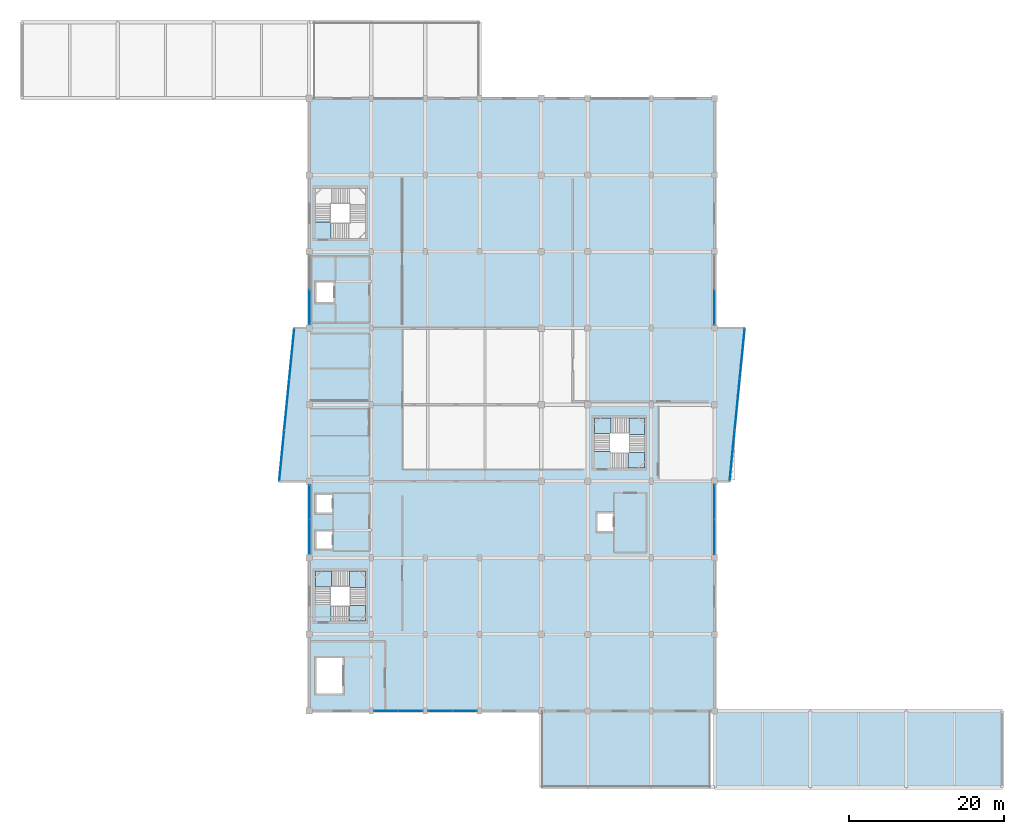
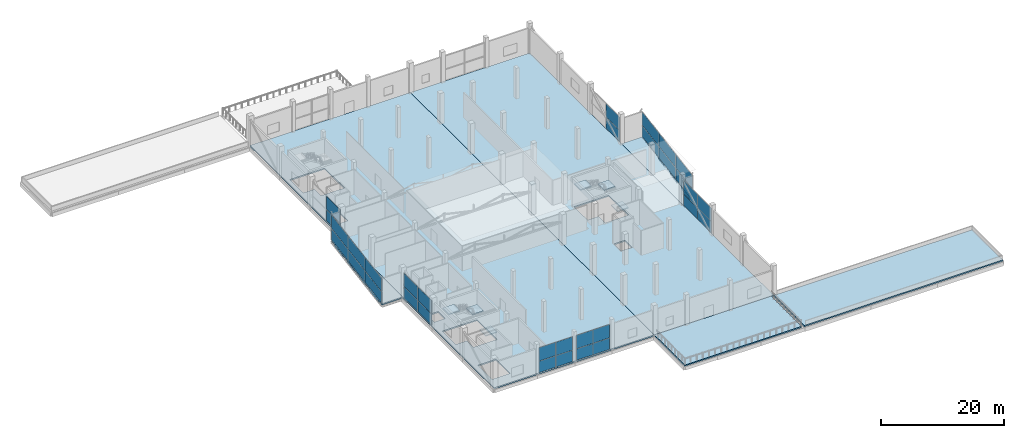
# One storey, part 35 of 58: 40 plates, 12 slabs, 10 elements without a shape of their own.
"""IFC4 building model written with IfcOpenShell, lengths in metres."""

from ifc_helpers import new_model, si_unit, direction, frame, origin, origin_2d, place, context, subcontext, project, spatial, polyline, rectangle, outline, extrude, material, layer, layer_set, type_object, element, aggregate, save


model = new_model("IFC4")

# Units and contexts
model_context = context("Model", 3, precision=1e-05, world=origin(), true_north=direction((0.0, 1.0)))
body_context = subcontext(model_context, "Body", "Model", "MODEL_VIEW")
ifc_project = project(units=[si_unit("LENGTHUNIT", "METRE"), si_unit("AREAUNIT", "SQUARE_METRE"), si_unit("VOLUMEUNIT", "CUBIC_METRE"), si_unit("PLANEANGLEUNIT", "RADIAN"), si_unit("MASSUNIT", "GRAM", prefix="KILO")], contexts=[model_context])

# Site, building, storey
site_placement = place(None, origin())
site = spatial("IfcSite", under=ifc_project, at=site_placement, CompositionType="ELEMENT")
building_placement = place(site_placement, origin())
building = spatial("IfcBuilding", under=site, at=building_placement, Name="Sillaruma Civic Art Gallery", CompositionType="ELEMENT")
storey_placement = place(building_placement, frame((0.0, 0.0, 22.43994140625)))
storey = spatial("IfcBuildingStorey", under=building, at=storey_placement, Name="L04", CompositionType="ELEMENT", Elevation=22.43994140625)

# Plates
ifc_material_1 = material(Name="Anodised Zinc-Aluminium Alloy", Category="aluminium")
ifc_layer_1 = layer(ifc_material_1, 0.044921875, Name="Anodised Zinc-Aluminium Alloy")
ifc_layer_set_1 = layer_set([ifc_layer_1], Name="Anodised Zinc-Aluminium Alloy")
plate_type_1 = type_object("IfcPlateType", Name="PLT-FAS-01", PredefinedType="USERDEFINED", material=ifc_layer_set_1)
for number, where, z_axis, x_axis, name in (
    (1, (58.392578125, 52.469970703125, -0.489990234375), (0.0, 0.0, 1.0), (-0.098010679679, -0.99518536297, 0.0), "Folded Fascia Cassette (PRW-L04-W-4)"),
    (2, (118.007568359375, 66.330078125, -0.489990234375), (0.0, 0.0, 1.0), (0.098010679679, 0.99518536297, 0.0), "Folded Fascia Cassette (PRW-L04-E-4)"),
):
    element("IfcPlate", number, at=place(storey_placement, frame(where, z_axis=z_axis, x_axis=x_axis)), inside=storey, type_object=plate_type_1, Name=name, ObjectType="FASCIA CASSETTE", PredefinedType="USERDEFINED", context=body_context, shape_type="SweptSolid", body=[
        extrude(rectangle(XDim=3.60009765625, YDim=0.044921875, at=origin_2d()), origin(), (0.0, 0.0, 1.0), 0.580078125),
    ])
ifc_layer_2 = layer(ifc_material_1, 0.041015625, Name="Anodised Zinc-Aluminium Alloy")
ifc_layer_set_2 = layer_set([ifc_layer_2], Name="Anodised Zinc-Aluminium Alloy")
plate_type_2 = type_object("IfcPlateType", Name="PLT-FAS-02", PredefinedType="USERDEFINED", material=ifc_layer_set_2)
for number, where, z_axis, x_axis, name in (
    (3, (59.757568359375, 66.330078125, -0.4599609375), (0.0, 0.0, 1.0), (-0.098010679679, -0.99518536297, 0.0), "Folded Fascia Cassette (PRW-L04-W-1)"),
    (4, (116.642578125, 52.469970703125, -0.4599609375), (0.0, 0.0, 1.0), (0.098010679679, 0.99518536297, 0.0), "Folded Fascia Cassette (PRW-L04-E-1)"),
):
    element("IfcPlate", number, at=place(storey_placement, frame(where, z_axis=z_axis, x_axis=x_axis)), inside=storey, type_object=plate_type_2, Name=name, ObjectType="FASCIA CASSETTE", PredefinedType="USERDEFINED", context=body_context, shape_type="SweptSolid", body=[
        extrude(rectangle(XDim=3.199951171875, YDim=0.041015625, at=origin_2d()), origin(), (0.0, 0.0, 1.0), 0.52001953125),
    ])
ifc_layer_3 = layer(ifc_material_1, 0.0380859375, Name="Anodised Zinc-Aluminium Alloy")
ifc_layer_set_3 = layer_set([ifc_layer_3], Name="Anodised Zinc-Aluminium Alloy")
plate_type_3 = type_object("IfcPlateType", Name="PLT-FAS-03", PredefinedType="USERDEFINED", material=ifc_layer_set_3)
for number, where, z_axis, x_axis, name in (
    (5, (59.30908203125, 61.77587890625, -0.43994140625), (0.0, 0.0, 1.0), (-0.098010679679, -0.99518536297, 0.0), "Folded Fascia Cassette (PRW-L04-W-2)"),
    (6, (117.091064453125, 57.02392578125, -0.43994140625), (0.0, 0.0, 1.0), (0.098010679679, 0.99518536297, 0.0), "Folded Fascia Cassette (PRW-L04-E-2)"),
):
    element("IfcPlate", number, at=place(storey_placement, frame(where, z_axis=z_axis, x_axis=x_axis)), inside=storey, type_object=plate_type_3, Name=name, ObjectType="FASCIA CASSETTE", PredefinedType="USERDEFINED", context=body_context, shape_type="SweptSolid", body=[
        extrude(rectangle(XDim=2.800048828125, YDim=0.0380859375, at=origin_2d()), origin(), (0.0, 0.0, 1.0), 0.47998046875),
    ])
ifc_layer_4 = layer(ifc_material_1, 0.034912109375, Name="Anodised Zinc-Aluminium Alloy")
ifc_layer_set_4 = layer_set([ifc_layer_4], Name="Anodised Zinc-Aluminium Alloy")
plate_type_4 = type_object("IfcPlateType", Name="PLT-FAS-04", PredefinedType="USERDEFINED", material=ifc_layer_set_4)
for number, where, z_axis, x_axis, name in (
    (7, (58.841064453125, 57.02392578125, -0.419921875), (0.0, 0.0, 1.0), (-0.098010679679, -0.99518536297, 0.0), "Folded Fascia Cassette (PRW-L04-W-3)"),
    (8, (117.55908203125, 61.77587890625, -0.419921875), (0.0, 0.0, 1.0), (0.098010679679, 0.99518536297, 0.0), "Folded Fascia Cassette (PRW-L04-E-3)"),
):
    element("IfcPlate", number, at=place(storey_placement, frame(where, z_axis=z_axis, x_axis=x_axis)), inside=storey, type_object=plate_type_4, Name=name, ObjectType="FASCIA CASSETTE", PredefinedType="USERDEFINED", context=body_context, shape_type="SweptSolid", body=[
        extrude(rectangle(XDim=2.39990234375, YDim=0.034912109375, at=origin_2d()), origin(), (0.0, 0.0, 1.0), 0.43994140625),
    ])

# Curtain wall, plates
ifc_material_2 = material(Name="Thermally Broken Extruded Aluminium 6063-T6", Category="aluminium")
ifc_layer_5 = layer(ifc_material_2, 0.139892578125, Name="Thermally Broken Extruded Aluminium 6063-T6")
ifc_layer_set_5 = layer_set([ifc_layer_5], Name="Thermally Broken Extruded Aluminium 6063-T6")
curtain_wall_type_1 = type_object("IfcCurtainWallType", Name="CW-UNI-26", PredefinedType="NOTDEFINED", material=ifc_layer_set_5)
curtain_wall_1_placement = place(storey_placement, origin())
curtain_wall_1 = element("IfcCurtainWall", 9, at=curtain_wall_1_placement, inside=storey, type_object=curtain_wall_type_1, Name="Unitised Curtain Wall CW-26 (CW-L04-S-2)", PredefinedType="NOTDEFINED")
ifc_material_3 = material(Name="Low-E UV-Filtered Laminated Insulating Glass", Category="glass")
ifc_layer_6 = layer(ifc_material_3, 0.028076171875, Name="Low-E UV-Filtered Laminated Insulating Glass")
ifc_layer_set_6 = layer_set([ifc_layer_6], Name="Low-E UV-Filtered Laminated Insulating Glass")
plate_type_5 = type_object("IfcPlateType", Name="PNL-GLZ-28", PredefinedType="CURTAIN_PANEL", material=ifc_layer_set_6)
plate_1_placement = place(storey_placement, frame((71.9150390625, 19.800048828125, 0.06005859375), z_axis=(0.0, 0.0, 1.0), x_axis=(1.0, 0.0, 0.0)))
plate_1 = element("IfcPlate", 10, at=plate_1_placement, type_object=plate_type_5, Name="CW-26 panel 1.1", PredefinedType="CURTAIN_PANEL", context=body_context, shape_type="SweptSolid", body=[
    extrude(rectangle(XDim=3.110107421875, YDim=0.028076171875, at=origin_2d()), origin(), (0.0, 0.0, 1.0), 2.237548828125),
])
plate_2_placement = place(storey_placement, frame((71.9150390625, 19.800048828125, 2.35791015625), z_axis=(0.0, 0.0, 1.0), x_axis=(1.0, 0.0, 0.0)))
plate_2 = element("IfcPlate", 11, at=plate_2_placement, type_object=plate_type_5, Name="CW-26 panel 1.2", PredefinedType="CURTAIN_PANEL", context=body_context, shape_type="SweptSolid", body=[
    extrude(rectangle(XDim=3.110107421875, YDim=0.028076171875, at=origin_2d()), origin(), (0.0, 0.0, 1.0), 2.642333984375),
])
plate_3_placement = place(storey_placement, frame((75.0849609375, 19.800048828125, 0.06005859375), z_axis=(0.0, 0.0, 1.0), x_axis=(1.0, 0.0, 0.0)))
plate_3 = element("IfcPlate", 12, at=plate_3_placement, type_object=plate_type_5, Name="CW-26 panel 2.1", PredefinedType="CURTAIN_PANEL", context=body_context, shape_type="SweptSolid", body=[
    extrude(rectangle(XDim=3.110107421875, YDim=0.028076171875, at=origin_2d()), origin(), (0.0, 0.0, 1.0), 2.237548828125),
])
plate_4_placement = place(storey_placement, frame((75.0849609375, 19.800048828125, 2.35791015625), z_axis=(0.0, 0.0, 1.0), x_axis=(1.0, 0.0, 0.0)))
plate_4 = element("IfcPlate", 13, at=plate_4_placement, type_object=plate_type_5, Name="CW-26 panel 2.2", PredefinedType="CURTAIN_PANEL", context=body_context, shape_type="SweptSolid", body=[
    extrude(rectangle(XDim=3.110107421875, YDim=0.028076171875, at=origin_2d()), origin(), (0.0, 0.0, 1.0), 2.642333984375),
])
aggregate(curtain_wall_1, [plate_1, plate_2, plate_3, plate_4])

ifc_layer_7 = layer(ifc_material_2, 0.159912109375, Name="Thermally Broken Extruded Aluminium 6063-T6")
ifc_layer_set_7 = layer_set([ifc_layer_7], Name="Thermally Broken Extruded Aluminium 6063-T6")
curtain_wall_type_2 = type_object("IfcCurtainWallType", Name="CW-UNI-25", PredefinedType="NOTDEFINED", material=ifc_layer_set_7)
curtain_wall_2_placement = place(storey_placement, origin())
curtain_wall_2 = element("IfcCurtainWall", 14, at=curtain_wall_2_placement, inside=storey, type_object=curtain_wall_type_2, Name="Unitised Curtain Wall CW-25 (CW-PRW-L04-W-ANG)", PredefinedType="NOTDEFINED")
ifc_layer_8 = layer(ifc_material_3, 0.031982421875, Name="Low-E UV-Filtered Laminated Insulating Glass")
ifc_layer_set_8 = layer_set([ifc_layer_8], Name="Low-E UV-Filtered Laminated Insulating Glass")
plate_type_6 = type_object("IfcPlateType", Name="PNL-GLZ-32", PredefinedType="CURTAIN_PANEL", material=ifc_layer_set_8)
plate_5_placement = place(storey_placement, frame((59.723388671875, 65.98388671875, 0.065185546875), z_axis=(0.0, 0.0, 1.0), x_axis=(-0.098010679679, -0.99518536297, 0.0)))
plate_5 = element("IfcPlate", 15, at=plate_5_placement, type_object=plate_type_6, Name="CW-25 panel 1.1", PredefinedType="CURTAIN_PANEL", context=body_context, shape_type="SweptSolid", body=[
    extrude(rectangle(XDim=6.534423828125, YDim=0.031982421875, at=origin_2d()), origin(), (0.0, 0.0, 1.0), 2.22998046875),
])
plate_6_placement = place(storey_placement, frame((59.723388671875, 65.98388671875, 2.35986328125), z_axis=(0.0, 0.0, 1.0), x_axis=(-0.098010679679, -0.99518536297, 0.0)))
plate_6 = element("IfcPlate", 16, at=plate_6_placement, type_object=plate_type_6, Name="CW-25 panel 1.2", PredefinedType="CURTAIN_PANEL", context=body_context, shape_type="SweptSolid", body=[
    extrude(rectangle(XDim=6.534423828125, YDim=0.031982421875, at=origin_2d()), origin(), (0.0, 0.0, 1.0), 2.635009765625),
])
plate_7_placement = place(storey_placement, frame((59.074951171875, 59.39990234375, 0.065185546875), z_axis=(0.0, 0.0, 1.0), x_axis=(-0.098010679679, -0.99518536297, 0.0)))
plate_7 = element("IfcPlate", 17, at=plate_7_placement, type_object=plate_type_6, Name="CW-25 panel 2.1", PredefinedType="CURTAIN_PANEL", context=body_context, shape_type="SweptSolid", body=[
    extrude(rectangle(XDim=6.56689453125, YDim=0.031982421875, at=origin_2d()), origin(), (0.0, 0.0, 1.0), 2.22998046875),
])
plate_8_placement = place(storey_placement, frame((59.074951171875, 59.39990234375, 2.35986328125), z_axis=(0.0, 0.0, 1.0), x_axis=(-0.098010679679, -0.99518536297, 0.0)))
plate_8 = element("IfcPlate", 18, at=plate_8_placement, type_object=plate_type_6, Name="CW-25 panel 2.2", PredefinedType="CURTAIN_PANEL", context=body_context, shape_type="SweptSolid", body=[
    extrude(rectangle(XDim=6.56689453125, YDim=0.031982421875, at=origin_2d()), origin(), (0.0, 0.0, 1.0), 2.635009765625),
])
plate_9_placement = place(storey_placement, frame((58.426513671875, 52.816162109375, 0.065185546875), z_axis=(0.0, 0.0, 1.0), x_axis=(-0.098010679679, -0.99518536297, 0.0)))
plate_9 = element("IfcPlate", 19, at=plate_9_placement, type_object=plate_type_6, Name="CW-25 panel 3.1", PredefinedType="CURTAIN_PANEL", context=body_context, shape_type="SweptSolid", body=[
    extrude(rectangle(XDim=6.534423828125, YDim=0.031982421875, at=origin_2d()), origin(), (0.0, 0.0, 1.0), 2.22998046875),
])
plate_10_placement = place(storey_placement, frame((58.426513671875, 52.816162109375, 2.35986328125), z_axis=(0.0, 0.0, 1.0), x_axis=(-0.098010679679, -0.99518536297, 0.0)))
plate_10 = element("IfcPlate", 20, at=plate_10_placement, type_object=plate_type_6, Name="CW-25 panel 3.2", PredefinedType="CURTAIN_PANEL", context=body_context, shape_type="SweptSolid", body=[
    extrude(rectangle(XDim=6.534423828125, YDim=0.031982421875, at=origin_2d()), origin(), (0.0, 0.0, 1.0), 2.635009765625),
])
aggregate(curtain_wall_2, [plate_5, plate_6, plate_7, plate_8, plate_9, plate_10])

curtain_wall_3_placement = place(storey_placement, origin())
curtain_wall_3 = element("IfcCurtainWall", 21, at=curtain_wall_3_placement, inside=storey, type_object=curtain_wall_type_2, Name="Unitised Curtain Wall CW-25 (CW-PRW-L04-E-ANG)", PredefinedType="NOTDEFINED")
plate_11_placement = place(storey_placement, frame((116.676513671875, 52.816162109375, 0.065185546875), z_axis=(0.0, 0.0, 1.0), x_axis=(0.098010679679, 0.99518536297, 0.0)))
plate_11 = element("IfcPlate", 22, at=plate_11_placement, type_object=plate_type_6, Name="CW-25 panel 1.1", PredefinedType="CURTAIN_PANEL", context=body_context, shape_type="SweptSolid", body=[
    extrude(rectangle(XDim=6.534423828125, YDim=0.031982421875, at=origin_2d()), origin(), (0.0, 0.0, 1.0), 2.22998046875),
])
plate_12_placement = place(storey_placement, frame((116.676513671875, 52.816162109375, 2.35986328125), z_axis=(0.0, 0.0, 1.0), x_axis=(0.098010679679, 0.99518536297, 0.0)))
plate_12 = element("IfcPlate", 23, at=plate_12_placement, type_object=plate_type_6, Name="CW-25 panel 1.2", PredefinedType="CURTAIN_PANEL", context=body_context, shape_type="SweptSolid", body=[
    extrude(rectangle(XDim=6.534423828125, YDim=0.031982421875, at=origin_2d()), origin(), (0.0, 0.0, 1.0), 2.635009765625),
])
plate_13_placement = place(storey_placement, frame((117.324951171875, 59.39990234375, 0.065185546875), z_axis=(0.0, 0.0, 1.0), x_axis=(0.098010679679, 0.99518536297, 0.0)))
plate_13 = element("IfcPlate", 24, at=plate_13_placement, type_object=plate_type_6, Name="CW-25 panel 2.1", PredefinedType="CURTAIN_PANEL", context=body_context, shape_type="SweptSolid", body=[
    extrude(rectangle(XDim=6.56689453125, YDim=0.031982421875, at=origin_2d()), origin(), (0.0, 0.0, 1.0), 2.22998046875),
])
plate_14_placement = place(storey_placement, frame((117.324951171875, 59.39990234375, 2.35986328125), z_axis=(0.0, 0.0, 1.0), x_axis=(0.098010679679, 0.99518536297, 0.0)))
plate_14 = element("IfcPlate", 25, at=plate_14_placement, type_object=plate_type_6, Name="CW-25 panel 2.2", PredefinedType="CURTAIN_PANEL", context=body_context, shape_type="SweptSolid", body=[
    extrude(rectangle(XDim=6.56689453125, YDim=0.031982421875, at=origin_2d()), origin(), (0.0, 0.0, 1.0), 2.635009765625),
])
plate_15_placement = place(storey_placement, frame((117.973388671875, 65.98388671875, 0.065185546875), z_axis=(0.0, 0.0, 1.0), x_axis=(0.098010679679, 0.99518536297, 0.0)))
plate_15 = element("IfcPlate", 26, at=plate_15_placement, type_object=plate_type_6, Name="CW-25 panel 3.1", PredefinedType="CURTAIN_PANEL", context=body_context, shape_type="SweptSolid", body=[
    extrude(rectangle(XDim=6.534423828125, YDim=0.031982421875, at=origin_2d()), origin(), (0.0, 0.0, 1.0), 2.22998046875),
])
plate_16_placement = place(storey_placement, frame((117.973388671875, 65.98388671875, 2.35986328125), z_axis=(0.0, 0.0, 1.0), x_axis=(0.098010679679, 0.99518536297, 0.0)))
plate_16 = element("IfcPlate", 27, at=plate_16_placement, type_object=plate_type_6, Name="CW-25 panel 3.2", PredefinedType="CURTAIN_PANEL", context=body_context, shape_type="SweptSolid", body=[
    extrude(rectangle(XDim=6.534423828125, YDim=0.031982421875, at=origin_2d()), origin(), (0.0, 0.0, 1.0), 2.635009765625),
])
aggregate(curtain_wall_3, [plate_11, plate_12, plate_13, plate_14, plate_15, plate_16])

# Curtain wall, plate
ifc_layer_9 = layer(ifc_material_2, 0.179931640625, Name="Thermally Broken Extruded Aluminium 6063-T6")
ifc_layer_set_9 = layer_set([ifc_layer_9], Name="Thermally Broken Extruded Aluminium 6063-T6")
curtain_wall_type_3 = type_object("IfcCurtainWallType", Name="CW-UNI-22", PredefinedType="NOTDEFINED", material=ifc_layer_set_9)
curtain_wall_4_placement = place(storey_placement, origin())
curtain_wall_4 = element("IfcCurtainWall", 28, at=curtain_wall_4_placement, inside=storey, type_object=curtain_wall_type_3, Name="Unitised Curtain Wall CW-22 (CW-L04-E-3)", PredefinedType="NOTDEFINED")
ifc_layer_10 = layer(ifc_material_3, 0.035888671875, Name="Low-E UV-Filtered Laminated Insulating Glass")
ifc_layer_set_10 = layer_set([ifc_layer_10], Name="Low-E UV-Filtered Laminated Insulating Glass")
plate_type_7 = type_object("IfcPlateType", Name="PNL-GLZ-36", PredefinedType="CURTAIN_PANEL", material=ifc_layer_set_10)
plate_17_placement = place(storey_placement, frame((114.39990234375, 46.8076171875, 0.070068359375), z_axis=(0.0, 0.0, 1.0), x_axis=(0.0, 1.0, 0.0)))
plate_17 = element("IfcPlate", 29, at=plate_17_placement, type_object=plate_type_7, Name="CW-22 panel 2.1", PredefinedType="CURTAIN_PANEL", context=body_context, shape_type="SweptSolid", body=[
    extrude(rectangle(XDim=4.445068359375, YDim=0.035888671875, at=origin_2d()), origin(), (0.0, 0.0, 1.0), 2.22265625),
])

ifc_layer_11 = layer(ifc_material_2, 0.179931640625, Name="Thermally Broken Extruded Aluminium 6063-T6")
ifc_layer_set_11 = layer_set([ifc_layer_11], Name="Thermally Broken Extruded Aluminium 6063-T6")
curtain_wall_type_4 = type_object("IfcCurtainWallType", Name="CW-UNI-21", PredefinedType="NOTDEFINED", material=ifc_layer_set_11)
curtain_wall_5_placement = place(storey_placement, origin())
curtain_wall_5 = element("IfcCurtainWall", 30, at=curtain_wall_5_placement, inside=storey, type_object=curtain_wall_type_4, Name="Unitised Curtain Wall CW-21 (CW-L04-W-3)", PredefinedType="NOTDEFINED")
ifc_layer_12 = layer(ifc_material_3, 0.0400390625, Name="Low-E UV-Filtered Laminated Insulating Glass")
ifc_layer_set_12 = layer_set([ifc_layer_12], Name="Low-E UV-Filtered Laminated Insulating Glass")
plate_type_8 = type_object("IfcPlateType", Name="PNL-GLZ-40", PredefinedType="CURTAIN_PANEL", material=ifc_layer_set_12)
plate_18_placement = place(storey_placement, frame((62.0, 46.794921875, 0.065185546875), z_axis=(0.0, 0.0, 1.0), x_axis=(0.0, 1.0, 0.0)))
plate_18 = element("IfcPlate", 31, at=plate_18_placement, type_object=plate_type_8, Name="CW-21 panel 2.1", PredefinedType="CURTAIN_PANEL", context=body_context, shape_type="SweptSolid", body=[
    extrude(rectangle(XDim=4.419921875, YDim=0.0400390625, at=origin_2d()), origin(), (0.0, 0.0, 1.0), 2.22998046875),
])

# Curtain wall, plates
ifc_layer_13 = layer(ifc_material_2, 0.179931640625, Name="Thermally Broken Extruded Aluminium 6063-T6")
ifc_layer_set_13 = layer_set([ifc_layer_13], Name="Thermally Broken Extruded Aluminium 6063-T6")
curtain_wall_type_5 = type_object("IfcCurtainWallType", Name="CW-UNI-28", PredefinedType="NOTDEFINED", material=ifc_layer_set_13)
curtain_wall_6_placement = place(storey_placement, origin())
curtain_wall_6 = element("IfcCurtainWall", 32, at=curtain_wall_6_placement, inside=storey, type_object=curtain_wall_type_5, Name="Unitised Curtain Wall CW-28 (CW-L04-S-3)", PredefinedType="NOTDEFINED")
plate_19_placement = place(storey_placement, frame((78.91748046875, 19.800048828125, 0.065185546875), z_axis=(0.0, 0.0, 1.0), x_axis=(1.0, 0.0, 0.0)))
plate_19 = element("IfcPlate", 33, at=plate_19_placement, type_object=plate_type_8, Name="CW-28 panel 1.1", PredefinedType="CURTAIN_PANEL", context=body_context, shape_type="SweptSolid", body=[
    extrude(rectangle(XDim=3.094970703125, YDim=0.0400390625, at=origin_2d()), origin(), (0.0, 0.0, 1.0), 2.22998046875),
])
plate_20_placement = place(storey_placement, frame((78.91748046875, 19.800048828125, 2.35986328125), z_axis=(0.0, 0.0, 1.0), x_axis=(1.0, 0.0, 0.0)))
plate_20 = element("IfcPlate", 34, at=plate_20_placement, type_object=plate_type_8, Name="CW-28 panel 1.2", PredefinedType="CURTAIN_PANEL", context=body_context, shape_type="SweptSolid", body=[
    extrude(rectangle(XDim=3.094970703125, YDim=0.0400390625, at=origin_2d()), origin(), (0.0, 0.0, 1.0), 2.635009765625),
])
plate_21_placement = place(storey_placement, frame((82.08251953125, 19.800048828125, 0.065185546875), z_axis=(0.0, 0.0, 1.0), x_axis=(1.0, 0.0, 0.0)))
plate_21 = element("IfcPlate", 35, at=plate_21_placement, type_object=plate_type_8, Name="CW-28 panel 2.1", PredefinedType="CURTAIN_PANEL", context=body_context, shape_type="SweptSolid", body=[
    extrude(rectangle(XDim=3.094970703125, YDim=0.0400390625, at=origin_2d()), origin(), (0.0, 0.0, 1.0), 2.22998046875),
])
plate_22_placement = place(storey_placement, frame((82.08251953125, 19.800048828125, 2.35986328125), z_axis=(0.0, 0.0, 1.0), x_axis=(1.0, 0.0, 0.0)))
plate_22 = element("IfcPlate", 36, at=plate_22_placement, type_object=plate_type_8, Name="CW-28 panel 2.2", PredefinedType="CURTAIN_PANEL", context=body_context, shape_type="SweptSolid", body=[
    extrude(rectangle(XDim=3.094970703125, YDim=0.0400390625, at=origin_2d()), origin(), (0.0, 0.0, 1.0), 2.635009765625),
])
aggregate(curtain_wall_6, [plate_19, plate_20, plate_21, plate_22])

# Plate
ifc_layer_14 = layer(ifc_material_1, 0.035888671875, Name="Anodised Zinc-Aluminium Alloy")
ifc_layer_set_14 = layer_set([ifc_layer_14], Name="Anodised Zinc-Aluminium Alloy")
plate_type_9 = type_object("IfcPlateType", Name="PNL-SPD-36", PredefinedType="CURTAIN_PANEL", material=ifc_layer_set_14)
plate_23_placement = place(storey_placement, frame((114.39990234375, 42.29248046875, 0.070068359375), z_axis=(0.0, 0.0, 1.0), x_axis=(0.0, 1.0, 0.0)))
plate_23 = element("IfcPlate", 37, at=plate_23_placement, type_object=plate_type_9, Name="CW-22 panel 1.1", PredefinedType="CURTAIN_PANEL", context=body_context, shape_type="SweptSolid", body=[
    extrude(rectangle(XDim=4.445068359375, YDim=0.035888671875, at=origin_2d()), origin(), (0.0, 0.0, 1.0), 2.22265625),
])

plate_24_placement = place(storey_placement, frame((114.39990234375, 42.29248046875, 2.362548828125), z_axis=(0.0, 0.0, 1.0), x_axis=(0.0, 1.0, 0.0)))
plate_24 = element("IfcPlate", 38, at=plate_24_placement, type_object=plate_type_9, Name="CW-22 panel 1.2", PredefinedType="CURTAIN_PANEL", context=body_context, shape_type="SweptSolid", body=[
    extrude(rectangle(XDim=4.445068359375, YDim=0.035888671875, at=origin_2d()), origin(), (0.0, 0.0, 1.0), 2.62744140625),
])

plate_25_placement = place(storey_placement, frame((114.39990234375, 46.8076171875, 2.362548828125), z_axis=(0.0, 0.0, 1.0), x_axis=(0.0, 1.0, 0.0)))
plate_25 = element("IfcPlate", 39, at=plate_25_placement, type_object=plate_type_9, Name="CW-22 panel 2.2", PredefinedType="CURTAIN_PANEL", context=body_context, shape_type="SweptSolid", body=[
    extrude(rectangle(XDim=4.445068359375, YDim=0.035888671875, at=origin_2d()), origin(), (0.0, 0.0, 1.0), 2.62744140625),
])

aggregate(curtain_wall_4, [plate_23, plate_24, plate_17, plate_25])

# Curtain wall, plates
curtain_wall_7_placement = place(storey_placement, origin())
curtain_wall_7 = element("IfcCurtainWall", 40, at=curtain_wall_7_placement, inside=storey, type_object=curtain_wall_type_3, Name="Unitised Curtain Wall CW-22 (CW-L04-W-6)", PredefinedType="NOTDEFINED")
plate_26_placement = place(storey_placement, frame((62.0, 72.0048828125, 0.070068359375), z_axis=(0.0, 0.0, 1.0), x_axis=(0.0, 1.0, 0.0)))
plate_26 = element("IfcPlate", 41, at=plate_26_placement, type_object=plate_type_9, Name="CW-22 panel 1.1", PredefinedType="CURTAIN_PANEL", context=body_context, shape_type="SweptSolid", body=[
    extrude(rectangle(XDim=4.419921875, YDim=0.035888671875, at=origin_2d()), origin(), (0.0, 0.0, 1.0), 2.22265625),
])
plate_27_placement = place(storey_placement, frame((62.0, 72.0048828125, 2.362548828125), z_axis=(0.0, 0.0, 1.0), x_axis=(0.0, 1.0, 0.0)))
plate_27 = element("IfcPlate", 42, at=plate_27_placement, type_object=plate_type_9, Name="CW-22 panel 1.2", PredefinedType="CURTAIN_PANEL", context=body_context, shape_type="SweptSolid", body=[
    extrude(rectangle(XDim=4.419921875, YDim=0.035888671875, at=origin_2d()), origin(), (0.0, 0.0, 1.0), 2.62744140625),
])
aggregate(curtain_wall_7, [plate_26, plate_27])

# Plate
ifc_layer_15 = layer(ifc_material_1, 0.0400390625, Name="Anodised Zinc-Aluminium Alloy")
ifc_layer_set_15 = layer_set([ifc_layer_15], Name="Anodised Zinc-Aluminium Alloy")
plate_type_10 = type_object("IfcPlateType", Name="PNL-SPD-40", PredefinedType="CURTAIN_PANEL", material=ifc_layer_set_15)
plate_28_placement = place(storey_placement, frame((62.0, 42.304931640625, 0.065185546875), z_axis=(0.0, 0.0, 1.0), x_axis=(0.0, 1.0, 0.0)))
plate_28 = element("IfcPlate", 43, at=plate_28_placement, type_object=plate_type_10, Name="CW-21 panel 1.1", PredefinedType="CURTAIN_PANEL", context=body_context, shape_type="SweptSolid", body=[
    extrude(rectangle(XDim=4.419921875, YDim=0.0400390625, at=origin_2d()), origin(), (0.0, 0.0, 1.0), 2.22998046875),
])

plate_29_placement = place(storey_placement, frame((62.0, 42.304931640625, 2.35986328125), z_axis=(0.0, 0.0, 1.0), x_axis=(0.0, 1.0, 0.0)))
plate_29 = element("IfcPlate", 44, at=plate_29_placement, type_object=plate_type_10, Name="CW-21 panel 1.2", PredefinedType="CURTAIN_PANEL", context=body_context, shape_type="SweptSolid", body=[
    extrude(rectangle(XDim=4.419921875, YDim=0.0400390625, at=origin_2d()), origin(), (0.0, 0.0, 1.0), 2.635009765625),
])

plate_30_placement = place(storey_placement, frame((62.0, 46.794921875, 2.35986328125), z_axis=(0.0, 0.0, 1.0), x_axis=(0.0, 1.0, 0.0)))
plate_30 = element("IfcPlate", 45, at=plate_30_placement, type_object=plate_type_10, Name="CW-21 panel 2.2", PredefinedType="CURTAIN_PANEL", context=body_context, shape_type="SweptSolid", body=[
    extrude(rectangle(XDim=4.419921875, YDim=0.0400390625, at=origin_2d()), origin(), (0.0, 0.0, 1.0), 2.635009765625),
])

aggregate(curtain_wall_5, [plate_28, plate_29, plate_18, plate_30])

# Curtain wall, plates
curtain_wall_8_placement = place(storey_placement, origin())
curtain_wall_8 = element("IfcCurtainWall", 46, at=curtain_wall_8_placement, inside=storey, type_object=curtain_wall_type_4, Name="Unitised Curtain Wall CW-21 (CW-L04-E-6)", PredefinedType="NOTDEFINED")
plate_31_placement = place(storey_placement, frame((114.39990234375, 71.992431640625, 0.065185546875), z_axis=(0.0, 0.0, 1.0), x_axis=(0.0, 1.0, 0.0)))
plate_31 = element("IfcPlate", 47, at=plate_31_placement, type_object=plate_type_10, Name="CW-21 panel 1.1", PredefinedType="CURTAIN_PANEL", context=body_context, shape_type="SweptSolid", body=[
    extrude(rectangle(XDim=4.445068359375, YDim=0.0400390625, at=origin_2d()), origin(), (0.0, 0.0, 1.0), 2.22998046875),
])
plate_32_placement = place(storey_placement, frame((114.39990234375, 71.992431640625, 2.35986328125), z_axis=(0.0, 0.0, 1.0), x_axis=(0.0, 1.0, 0.0)))
plate_32 = element("IfcPlate", 48, at=plate_32_placement, type_object=plate_type_10, Name="CW-21 panel 1.2", PredefinedType="CURTAIN_PANEL", context=body_context, shape_type="SweptSolid", body=[
    extrude(rectangle(XDim=4.445068359375, YDim=0.0400390625, at=origin_2d()), origin(), (0.0, 0.0, 1.0), 2.635009765625),
])
aggregate(curtain_wall_8, [plate_31, plate_32])

# Slabs
ifc_material_4 = material(Name="Concrete H35 (35 MPa)", Category="concrete")
ifc_layer_16 = layer(ifc_material_4, 0.25, Name="Concrete H35 (35 MPa)")
ifc_layer_set_16 = layer_set([ifc_layer_16], Name="Concrete H35 (35 MPa)")
slab_type_1 = type_object("IfcSlabType", Name="SLB-EXT-250", PredefinedType="FLOOR", material=ifc_layer_set_16)
slab_1_placement = place(storey_placement, frame((0.0, 0.0, -0.25)))
element("IfcSlab", 49, at=slab_1_placement, inside=storey, type_object=slab_type_1, Name="L04 South Sculpture Terrace (SLB-L04-TER-S)", PredefinedType="FLOOR", context=body_context, shape_type="SweptSolid", body=[
    extrude(outline(polyline([(92.0, 9.89990234375), (113.89990234375, 9.89990234375), (113.89990234375, 19.800048828125), (92.0, 19.800048828125), (92.0, 9.89990234375)])), origin(), (0.0, 0.0, 1.0), 0.25),
])
ifc_layer_17 = layer(ifc_material_4, 0.260009765625, Name="Concrete H35 (35 MPa)")
ifc_layer_set_17 = layer_set([ifc_layer_17], Name="Concrete H35 (35 MPa)")
slab_type_2 = type_object("IfcSlabType", Name="SLB-FLR-260", PredefinedType="FLOOR", material=ifc_layer_set_17)
slab_2_placement = place(storey_placement, frame((0.0, 0.0, -0.260009765625)))
element("IfcSlab", 50, at=slab_2_placement, inside=storey, type_object=slab_type_2, Name="Floor Slab SF-260 (SLB-L04-WEST)", PredefinedType="FLOOR", context=body_context, shape_type="SweptSolid", body=[
    extrude(outline(polyline([(62.0, 19.800048828125), (92.0, 19.800048828125), (92.0, 99.0), (62.0, 99.0), (62.0, 19.800048828125)]), holes=[polyline([(64.81494140625, 80.909912109375), (69.239990234375, 80.909912109375), (69.239990234375, 87.389892578125), (62.760009765625, 87.389892578125), (62.760009765625, 83.044921875), (64.81494140625, 83.044921875), (64.81494140625, 80.909912109375)]), polyline([(64.81494140625, 31.409912109375), (69.239990234375, 31.409912109375), (69.239990234375, 37.889892578125), (62.760009765625, 37.889892578125), (62.760009765625, 33.544921875), (64.81494140625, 33.544921875), (64.81494140625, 31.409912109375)]), polyline([(62.89990234375, 40.75), (64.89990234375, 40.75), (64.89990234375, 43.050048828125), (62.89990234375, 43.050048828125), (62.89990234375, 40.75)]), polyline([(62.89990234375, 45.449951171875), (64.89990234375, 45.449951171875), (64.89990234375, 47.75), (62.89990234375, 47.75), (62.89990234375, 45.449951171875)]), polyline([(62.89990234375, 72.64990234375), (65.10009765625, 72.64990234375), (65.10009765625, 75.25), (62.89990234375, 75.25), (62.89990234375, 72.64990234375)]), polyline([(62.89990234375, 22.050048828125), (66.300048828125, 22.050048828125), (66.300048828125, 26.64990234375), (62.89990234375, 26.64990234375), (62.89990234375, 22.050048828125)])]), origin(), (0.0, 0.0, 1.0), 0.260009765625),
])
slab_3_placement = place(storey_placement, frame((0.0, 0.0, -0.260009765625)))
element("IfcSlab", 51, at=slab_3_placement, inside=storey, type_object=slab_type_2, Name="Floor Slab SF-260 (SLB-L04-EAST)", PredefinedType="FLOOR", context=body_context, shape_type="SweptSolid", body=[
    extrude(outline(polyline([(92.0, 19.800048828125), (114.39990234375, 19.800048828125), (114.39990234375, 99.0), (92.0, 99.0), (92.0, 19.800048828125)]), holes=[polyline([(100.9150390625, 51.2099609375), (105.340087890625, 51.2099609375), (105.340087890625, 57.68994140625), (98.860107421875, 57.68994140625), (98.860107421875, 53.344970703125), (100.9150390625, 53.344970703125), (100.9150390625, 51.2099609375)]), polyline([(99.25, 43.050048828125), (101.25, 43.050048828125), (101.25, 45.35009765625), (99.25, 45.35009765625), (99.25, 43.050048828125)])]), origin(), (0.0, 0.0, 1.0), 0.260009765625),
])
slab_4_placement = place(storey_placement, frame((0.0, 0.0, -0.260009765625)))
element("IfcSlab", 52, at=slab_4_placement, inside=storey, type_object=slab_type_2, Name="Floor Slab SF-260 (SLB-L04-PRWW)", PredefinedType="FLOOR", context=body_context, shape_type="SweptSolid", body=[
    extrude(outline(polyline([(62.0, 49.5), (62.0, 69.300048828125), (60.050048828125, 69.300048828125), (58.10009765625, 49.5), (62.0, 49.5)])), origin(), (0.0, 0.0, 1.0), 0.260009765625),
])
slab_5_placement = place(storey_placement, frame((0.0, 0.0, -0.260009765625)))
element("IfcSlab", 53, at=slab_5_placement, inside=storey, type_object=slab_type_2, Name="Floor Slab SF-260 (SLB-L04-PRWE)", PredefinedType="FLOOR", context=body_context, shape_type="SweptSolid", body=[
    extrude(outline(polyline([(114.39990234375, 49.5), (116.35009765625, 49.5), (118.300048828125, 69.300048828125), (114.39990234375, 69.300048828125), (114.39990234375, 49.5)])), origin(), (0.0, 0.0, 1.0), 0.260009765625),
])

# Stair, slabs
stair_type = type_object("IfcStairType", Name="STR-4F-36", PredefinedType="USERDEFINED", material=ifc_material_4)
stair_1_placement = place(storey_placement, origin())
stair_1 = element("IfcStair", 54, at=stair_1_placement, inside=storey, type_object=stair_type, Name="Protected Exit Stair ST-03 (West Bar South) (L04)", ObjectType="THREE_RETURN_STAIR", PredefinedType="USERDEFINED")
ifc_layer_18 = layer(ifc_material_4, 0.199951171875, Name="Concrete H35 (35 MPa)")
ifc_layer_set_18 = layer_set([ifc_layer_18], Name="Concrete H35 (35 MPa)")
slab_type_3 = type_object("IfcSlabType", Name="SLB-LND-200", PredefinedType="LANDING", material=ifc_layer_set_18)
slab_6_placement = place(storey_placement, frame((0.0, 0.0, 1.330078125)))
slab_6 = element("IfcSlab", 55, at=slab_6_placement, type_object=slab_type_3, Name="ST-03 landing 1", PredefinedType="LANDING", context=body_context, shape_type="SweptSolid", body=[
    extrude(outline(polyline([(67.1201171875, 31.409912109375), (69.239990234375, 31.409912109375), (69.239990234375, 33.449951171875), (67.1201171875, 33.449951171875), (67.1201171875, 31.409912109375)])), origin(), (0.0, 0.0, 1.0), 0.199951171875),
])
slab_7_placement = place(storey_placement, frame((0.0, 0.0, 2.860107421875)))
slab_7 = element("IfcSlab", 56, at=slab_7_placement, type_object=slab_type_3, Name="ST-03 landing 2", PredefinedType="LANDING", context=body_context, shape_type="SweptSolid", body=[
    extrude(outline(polyline([(67.199951171875, 35.77001953125), (69.239990234375, 35.77001953125), (69.239990234375, 37.889892578125), (67.199951171875, 37.889892578125), (67.199951171875, 35.77001953125)])), origin(), (0.0, 0.0, 1.0), 0.199951171875),
])
slab_8_placement = place(storey_placement, frame((0.0, 0.0, 4.39013671875)))
slab_8 = element("IfcSlab", 57, at=slab_8_placement, type_object=slab_type_3, Name="ST-03 landing 3", PredefinedType="LANDING", context=body_context, shape_type="SweptSolid", body=[
    extrude(outline(polyline([(62.760009765625, 35.85009765625), (64.8798828125, 35.85009765625), (64.8798828125, 37.889892578125), (62.760009765625, 37.889892578125), (62.760009765625, 35.85009765625)])), origin(), (0.0, 0.0, 1.0), 0.199951171875),
])
aggregate(stair_1, [slab_6, slab_7, slab_8])

stair_2_placement = place(storey_placement, origin())
stair_2 = element("IfcStair", 58, at=stair_2_placement, inside=storey, type_object=stair_type, Name="Protected Exit Stair ST-04 (East Bar) (L04)", ObjectType="THREE_RETURN_STAIR", PredefinedType="USERDEFINED")
slab_9_placement = place(storey_placement, frame((0.0, 0.0, 1.330078125)))
slab_9 = element("IfcSlab", 59, at=slab_9_placement, type_object=slab_type_3, Name="ST-04 landing 1", PredefinedType="LANDING", context=body_context, shape_type="SweptSolid", body=[
    extrude(outline(polyline([(103.219970703125, 51.2099609375), (105.340087890625, 51.2099609375), (105.340087890625, 53.25), (103.219970703125, 53.25), (103.219970703125, 51.2099609375)])), origin(), (0.0, 0.0, 1.0), 0.199951171875),
])
slab_10_placement = place(storey_placement, frame((0.0, 0.0, 2.860107421875)))
slab_10 = element("IfcSlab", 60, at=slab_10_placement, type_object=slab_type_3, Name="ST-04 landing 2", PredefinedType="LANDING", context=body_context, shape_type="SweptSolid", body=[
    extrude(outline(polyline([(103.300048828125, 55.570068359375), (105.340087890625, 55.570068359375), (105.340087890625, 57.68994140625), (103.300048828125, 57.68994140625), (103.300048828125, 55.570068359375)])), origin(), (0.0, 0.0, 1.0), 0.199951171875),
])
slab_11_placement = place(storey_placement, frame((0.0, 0.0, 4.39013671875)))
slab_11 = element("IfcSlab", 61, at=slab_11_placement, type_object=slab_type_3, Name="ST-04 landing 3", PredefinedType="LANDING", context=body_context, shape_type="SweptSolid", body=[
    extrude(outline(polyline([(98.860107421875, 55.64990234375), (100.97998046875, 55.64990234375), (100.97998046875, 57.68994140625), (98.860107421875, 57.68994140625), (98.860107421875, 55.64990234375)])), origin(), (0.0, 0.0, 1.0), 0.199951171875),
])
aggregate(stair_2, [slab_9, slab_10, slab_11])

# Slab
ifc_layer_19 = layer(ifc_material_4, 0.260009765625, Name="Concrete H35 (35 MPa)")
ifc_layer_set_19 = layer_set([ifc_layer_19], Name="Concrete H35 (35 MPa)")
slab_type_4 = type_object("IfcSlabType", Name="SLB-ROOF-260", PredefinedType="ROOF", material=ifc_layer_set_19)
slab_12_placement = place(storey_placement, frame((0.0, 0.0, -0.260009765625)))
element("IfcSlab", 62, at=slab_12_placement, inside=storey, type_object=slab_type_4, Name="Roof Slab SR-260 (ROOF-L04-HH5)", PredefinedType="ROOF", context=body_context, shape_type="SweptSolid", body=[
    extrude(outline(polyline([(114.39990234375, 9.89990234375), (151.60009765625, 9.89990234375), (151.60009765625, 19.800048828125), (114.39990234375, 19.800048828125), (114.39990234375, 9.89990234375)])), origin(), (0.0, 0.0, 1.0), 0.260009765625),
])

save(model, "model.ifc")
